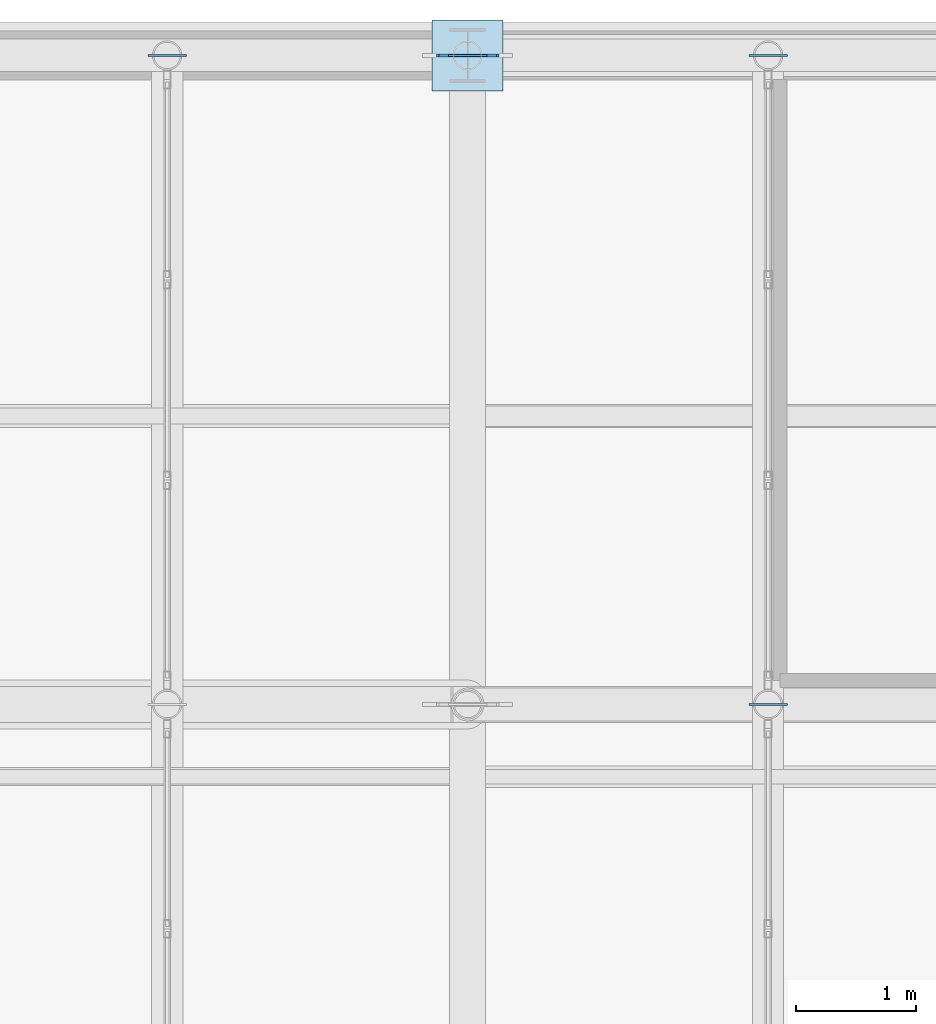
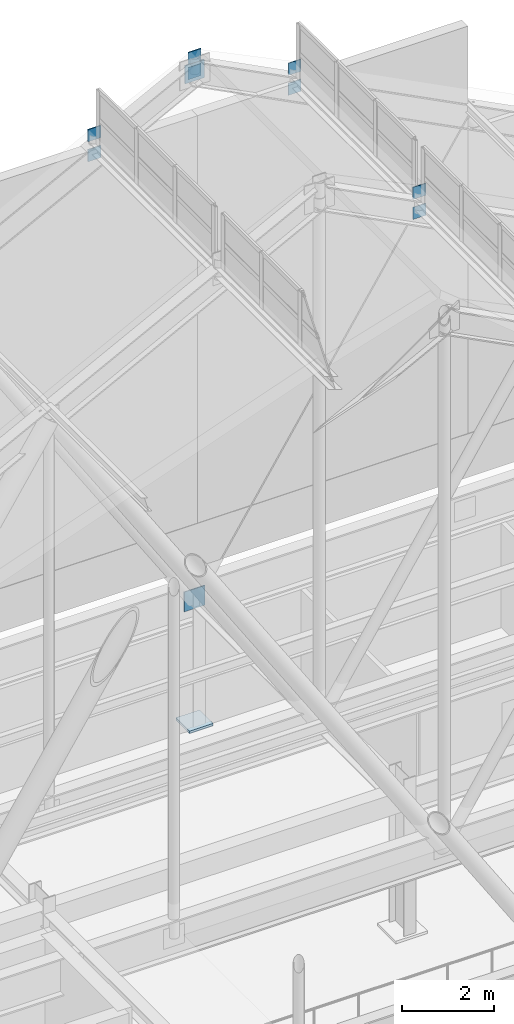
# One storey, part 80 of 84: 11 plates.
"""IFC4 building model written with IfcOpenShell, lengths in metres."""

from ifc_helpers import new_model, si_unit, direction, frame, origin, origin_2d, place, context, subcontext, project, spatial, rectangle, extrude, material, layer, layer_set, type_object, element, save


model = new_model("IFC4")

# Units and contexts
model_context = context("Model", 3, precision=1e-05, world=origin(), true_north=direction((0.0, 1.0)))
body_context = subcontext(model_context, "Body", "Model", "MODEL_VIEW")
ifc_project = project(units=[si_unit("LENGTHUNIT", "METRE"), si_unit("AREAUNIT", "SQUARE_METRE"), si_unit("VOLUMEUNIT", "CUBIC_METRE"), si_unit("PLANEANGLEUNIT", "RADIAN"), si_unit("MASSUNIT", "GRAM", prefix="KILO")], contexts=[model_context])

# Site, building, storey
site_placement = place(None, origin())
site = spatial("IfcSite", under=ifc_project, at=site_placement, CompositionType="ELEMENT")
building_placement = place(site_placement, origin())
building = spatial("IfcBuilding", under=site, at=building_placement, Name="Sundgate Opera House", CompositionType="ELEMENT")
storey_placement = place(building_placement, frame((0.0, 0.0, 30.60009765625)))
storey = spatial("IfcBuildingStorey", under=building, at=storey_placement, Name="L06", CompositionType="ELEMENT", Elevation=30.60009765625)

# Plates
ifc_material_1 = material(Name="Steel S355J2", Category="steel")
ifc_layer_1 = layer(ifc_material_1, 0.06201171875)
ifc_layer_set_1 = layer_set([ifc_layer_1], Name="Steel S355J2")
plate_type_1 = type_object("IfcPlateType", Name="PT-BAS-62", PredefinedType="USERDEFINED", material=ifc_layer_set_1)
plate_1_placement = place(storey_placement, frame((54.0, 87.0, 0.0), z_axis=(0.0, 0.0, 1.0), x_axis=(1.0, 0.0, 0.0)))
element("IfcPlate", 1, at=plate_1_placement, inside=storey, type_object=plate_type_1, Name="L06 Base Plate PT0092", ObjectType="BASE PLATE", PredefinedType="USERDEFINED", context=body_context, shape_type="SweptSolid", body=[
    extrude(rectangle(XDim=0.590087890625, YDim=0.590087890625, at=origin_2d()), origin(), (0.0, 0.0, 1.0), 0.06201171875),
])
ifc_material_2 = material(Name="Steel S355J2", Category="steel")
ifc_layer_2 = layer(ifc_material_2, 0.02001953125)
ifc_layer_set_2 = layer_set([ifc_layer_2], Name="Steel S355J2")
plate_type_2 = type_object("IfcPlateType", Name="PT-GUS-20", PredefinedType="USERDEFINED", material=ifc_layer_set_2)
for number, where, z_axis, x_axis, name in (
    (2, (56.5, 81.60009765625, 15.751953125), (0.0, 0.0, 1.0), (1.0, 0.0, 0.0), "L06 Lantern Post Base Gusset"),
    (3, (56.5, 81.60009765625, 16.27978515625), (0.0, 0.0, 1.0), (1.0, 0.0, 0.0), "L06 Lantern Post Cap Gusset"),
    (4, (51.5, 87.0, 15.751953125), (0.0, 0.0, 1.0), (1.0, 0.0, 0.0), "L06 Lantern Post Base Gusset"),
    (5, (51.5, 87.0, 16.27978515625), (0.0, 0.0, 1.0), (1.0, 0.0, 0.0), "L06 Lantern Post Cap Gusset"),
    (6, (54.0, 87.0, 17.0400390625), (0.0, 0.0, 1.0), (1.0, 0.0, 0.0), "L06 Lantern Post Base Gusset"),
    (7, (54.0, 87.0, 17.43994140625), (0.0, 0.0, 1.0), (1.0, 0.0, 0.0), "L06 Lantern Post Cap Gusset"),
    (8, (56.5, 87.0, 15.751953125), (0.0, 0.0, 1.0), (1.0, 0.0, 0.0), "L06 Lantern Post Base Gusset"),
    (9, (56.5, 87.0, 16.27978515625), (0.0, 0.0, 1.0), (1.0, 0.0, 0.0), "L06 Lantern Post Cap Gusset"),
):
    element("IfcPlate", number, at=place(storey_placement, frame(where, z_axis=z_axis, x_axis=x_axis)), inside=storey, type_object=plate_type_2, Name=name, ObjectType="GUSSET PLATE", PredefinedType="USERDEFINED", context=body_context, shape_type="SweptSolid", body=[
        extrude(rectangle(XDim=0.320068359375, YDim=0.02001953125, at=origin_2d()), origin(), (0.0, 0.0, 1.0), 0.320068359375),
    ])
ifc_material_3 = material(Name="Steel S355J2", Category="steel")
ifc_layer_3 = layer(ifc_material_3, 0.02490234375)
ifc_layer_set_3 = layer_set([ifc_layer_3], Name="Steel S355J2")
plate_type_3 = type_object("IfcPlateType", Name="PT-GUS-25", PredefinedType="USERDEFINED", material=ifc_layer_set_3)
plate_2_placement = place(storey_placement, frame((54.0, 87.0, 3.02978515625), z_axis=(0.0, 0.0, 1.0), x_axis=(1.0, 0.0, 0.0)))
element("IfcPlate", 10, at=plate_2_placement, inside=storey, type_object=plate_type_3, Name="L06 Truss Lower Node Gusset Plate", ObjectType="GUSSET PLATE", PredefinedType="USERDEFINED", context=body_context, shape_type="SweptSolid", body=[
    extrude(rectangle(XDim=0.52001953125, YDim=0.02490234375, at=origin_2d()), origin(), (0.0, 0.0, 1.0), 0.52001953125),
])
plate_3_placement = place(storey_placement, frame((54.0, 87.0, 16.9599609375), z_axis=(0.0, 0.0, 1.0), x_axis=(1.0, 0.0, 0.0)))
element("IfcPlate", 11, at=plate_3_placement, inside=storey, type_object=plate_type_3, Name="L06 Truss Upper Node Gusset Plate", ObjectType="GUSSET PLATE", PredefinedType="USERDEFINED", context=body_context, shape_type="SweptSolid", body=[
    extrude(rectangle(XDim=0.47998046875, YDim=0.02490234375, at=origin_2d()), origin(), (0.0, 0.0, 1.0), 0.47998046875),
])

save(model, "model.ifc")
